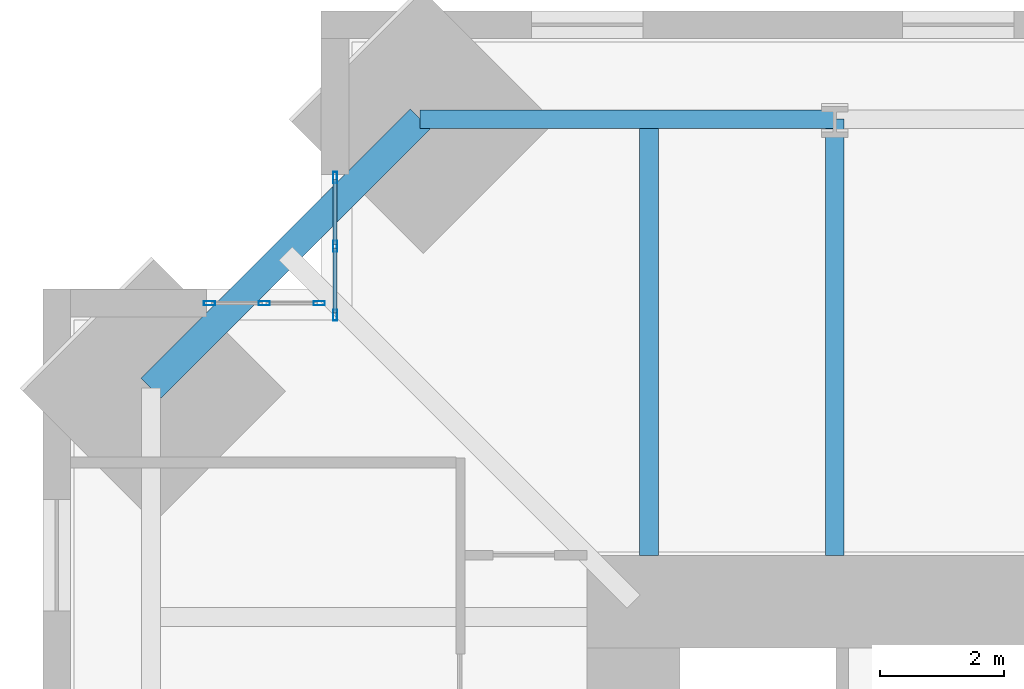
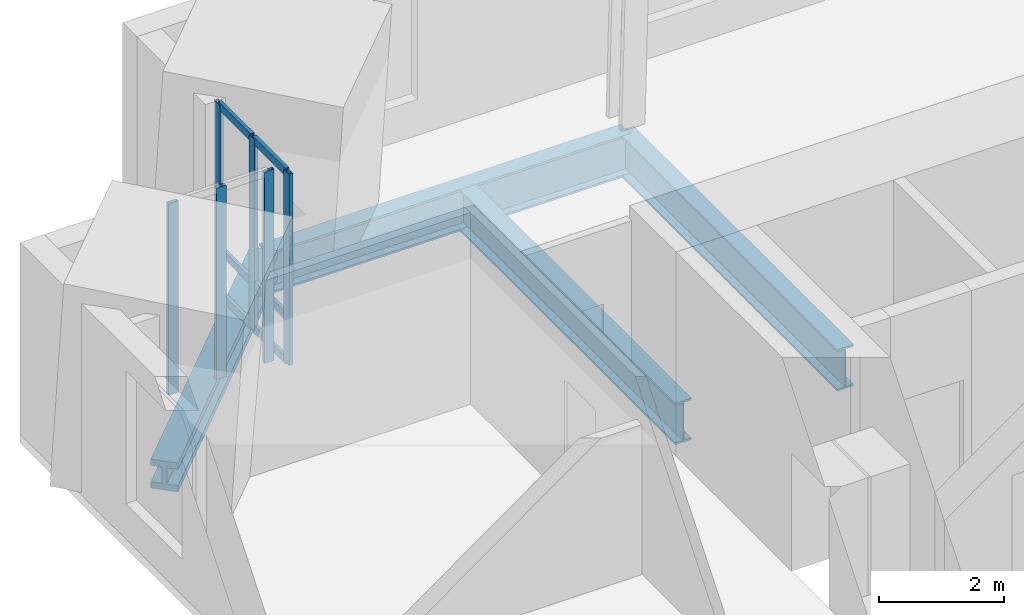
# One storey, part 6 of 15: 12 members, 4 beams, 2 elements without a shape of their own.
"""IFC4 building model written with IfcOpenShell, lengths in metres."""

from ifc_helpers import new_model, si_unit, direction, frame, origin, origin_2d, place, context, subcontext, project, spatial, hollow_rectangle, i_section, extrude, material, material_profile, profile_set, type_object, element, aggregate, save


model = new_model("IFC4")

# Units and contexts
model_context = context("Model", 3, precision=1e-05, world=origin(), true_north=direction((0.0, 1.0)))
body_context = subcontext(model_context, "Body", "Model", "MODEL_VIEW")
ifc_project = project(units=[si_unit("LENGTHUNIT", "METRE"), si_unit("AREAUNIT", "SQUARE_METRE"), si_unit("VOLUMEUNIT", "CUBIC_METRE"), si_unit("PLANEANGLEUNIT", "RADIAN"), si_unit("MASSUNIT", "GRAM", prefix="KILO")], contexts=[model_context])

# Site, building, storey
site_placement = place(None, origin())
site = spatial("IfcSite", under=ifc_project, at=site_placement, CompositionType="ELEMENT")
building_placement = place(site_placement, origin())
building = spatial("IfcBuilding", under=site, at=building_placement, Name="Peilmerk Tower", CompositionType="ELEMENT")
storey_placement = place(building_placement, frame((0.0, 0.0, 293.800048828125)))
storey = spatial("IfcBuildingStorey", under=building, at=storey_placement, Name="L66", CompositionType="ELEMENT", Elevation=293.800048828125)

# Beams
ifc_material_1 = material(Name="Steel S460", Category="steel")
ifc_material_profile_1 = material_profile(ifc_material_1, i_section(OverallWidth=0.4541015625, OverallDepth=0.569091796875, WebThickness=0.077880859375, FlangeThickness=0.125, at=origin_2d()), Name="HD 400x1086")
ifc_profile_set_1 = profile_set([ifc_material_profile_1], Name="Steel S460")
beam_type_1 = type_object("IfcBeamType", Name="B17 HD 400x1086 edge beam", PredefinedType="SPANDREL", material=ifc_profile_set_1)
beam_1_placement = place(storey_placement, frame((-19.050048828125, 14.699951171875, -0.45458984375), z_axis=(0.707106781187, 0.707106781187, 0.0), x_axis=(-0.707106781187, 0.707106781187, 0.0)))
element("IfcBeam", 1, at=beam_1_placement, inside=storey, type_object=beam_type_1, Name="Notch beam L66", PredefinedType="SPANDREL", context=body_context, shape_type="SweptSolid", body=[
    extrude(i_section(OverallWidth=0.4541015625, OverallDepth=0.569091796875, WebThickness=0.077880859375, FlangeThickness=0.125, at=origin_2d()), origin(), (0.0, 0.0, 1.0), 6.15185546875),
])
ifc_material_profile_2 = material_profile(ifc_material_1, i_section(OverallWidth=0.302978515625, OverallDepth=0.81396484375, WebThickness=0.02099609375, FlangeThickness=0.0400390625, at=origin_2d()), Name="HEM 800")
ifc_profile_set_2 = profile_set([ifc_material_profile_2], Name="Steel S460")
beam_type_2 = type_object("IfcBeamType", Name="B26 HEM 800 floor beam", PredefinedType="BEAM", material=ifc_profile_set_2)
for number, where, z_axis, x_axis, name in (
    (2, (-8.0, 12.0, -0.5771484375), (0.0, 1.0, 0.0), (-1.0, 0.0, 0.0), "Floor beam L66"),
    (3, (-11.0, 12.0, -0.5771484375), (0.0, 1.0, 0.0), (-1.0, 0.0, 0.0), "Floor beam L66"),
):
    element("IfcBeam", number, at=place(storey_placement, frame(where, z_axis=z_axis, x_axis=x_axis)), inside=storey, type_object=beam_type_2, Name=name, PredefinedType="BEAM", context=body_context, shape_type="SweptSolid", body=[
        extrude(i_section(OverallWidth=0.302978515625, OverallDepth=0.81396484375, WebThickness=0.02099609375, FlangeThickness=0.0400390625, at=origin_2d()), origin(), (0.0, 0.0, 1.0), 7.050048828125),
    ])
ifc_material_profile_3 = material_profile(ifc_material_1, i_section(OverallWidth=0.302978515625, OverallDepth=0.81396484375, WebThickness=0.02099609375, FlangeThickness=0.0400390625, at=origin_2d()), Name="HEM 800")
ifc_profile_set_3 = profile_set([ifc_material_profile_3], Name="Steel S460")
beam_type_3 = type_object("IfcBeamType", Name="B35 HEM 800 edge beam", PredefinedType="SPANDREL", material=ifc_profile_set_3)
beam_2_placement = place(storey_placement, frame((-8.0, 19.050048828125, -0.5771484375), z_axis=(-1.0, 0.0, 0.0), x_axis=(0.0, -1.0, 0.0)))
element("IfcBeam", 4, at=beam_2_placement, inside=storey, type_object=beam_type_3, Name="Edge beam L66", PredefinedType="SPANDREL", context=body_context, shape_type="SweptSolid", body=[
    extrude(i_section(OverallWidth=0.302978515625, OverallDepth=0.81396484375, WebThickness=0.02099609375, FlangeThickness=0.0400390625, at=origin_2d()), origin(), (0.0, 0.0, 1.0), 6.699951171875),
])

# Curtain wall, members
ifc_material_2 = material(Name="Aluminium stick curtain wall", Category="aluminium")
curtain_wall_type = type_object("IfcCurtainWallType", Name="CW4 stick curtain wall, 2250 module", PredefinedType="NOTDEFINED", material=ifc_material_2)
curtain_wall_1_placement = place(storey_placement, origin())
curtain_wall_1 = element("IfcCurtainWall", 5, at=curtain_wall_1_placement, inside=storey, type_object=curtain_wall_type, Name="Curtain wall CW4 NWA L66", PredefinedType="NOTDEFINED")
ifc_material_3 = material(Name="Aluminium EN AW-6063 T6", Category="aluminium")
ifc_material_profile_4 = material_profile(ifc_material_3, hollow_rectangle(XDim=0.06494140625, YDim=0.179931640625, WallThickness=0.0029296875, at=origin_2d()), Name="AL 180x65x3")
ifc_profile_set_4 = profile_set([ifc_material_profile_4], Name="Aluminium EN AW-6063 T6")
member_type_1 = type_object("IfcMemberType", Name="CW4-M AL 180x65x3 mullion", PredefinedType="MULLION", material=ifc_profile_set_4)
member_1_placement = place(storey_placement, frame((-16.074951171875, 15.882568359375, 0.0), z_axis=(0.0, 0.0, 1.0), x_axis=(-1.0, 0.0, 0.0)))
member_1 = element("IfcMember", 6, at=member_1_placement, type_object=member_type_1, Name="CW4 mullion 1", PredefinedType="MULLION", context=body_context, shape_type="SweptSolid", body=[
    extrude(hollow_rectangle(XDim=0.06494140625, YDim=0.179931640625, WallThickness=0.0029296875, at=origin_2d()), origin(), (0.0, 0.0, 1.0), 3.75),
])
member_2_placement = place(storey_placement, frame((-16.074951171875, 16.994384765625, 0.0), z_axis=(0.0, 0.0, 1.0), x_axis=(-1.0, 0.0, 0.0)))
member_2 = element("IfcMember", 7, at=member_2_placement, type_object=member_type_1, Name="CW4 mullion 2", PredefinedType="MULLION", context=body_context, shape_type="SweptSolid", body=[
    extrude(hollow_rectangle(XDim=0.06494140625, YDim=0.179931640625, WallThickness=0.0029296875, at=origin_2d()), origin(), (0.0, 0.0, 1.0), 3.75),
])
member_3_placement = place(storey_placement, frame((-16.074951171875, 18.106201171875, 0.0), z_axis=(0.0, 0.0, 1.0), x_axis=(-1.0, 0.0, 0.0)))
member_3 = element("IfcMember", 8, at=member_3_placement, type_object=member_type_1, Name="CW4 mullion 3", PredefinedType="MULLION", context=body_context, shape_type="SweptSolid", body=[
    extrude(hollow_rectangle(XDim=0.06494140625, YDim=0.179931640625, WallThickness=0.0029296875, at=origin_2d()), origin(), (0.0, 0.0, 1.0), 3.75),
])

curtain_wall_2_placement = place(storey_placement, origin())
curtain_wall_2 = element("IfcCurtainWall", 9, at=curtain_wall_2_placement, inside=storey, type_object=curtain_wall_type, Name="Curtain wall CW4 NWB L66", PredefinedType="NOTDEFINED")
member_4_placement = place(storey_placement, frame((-16.33251953125, 16.074951171875, 0.0), z_axis=(0.0, 0.0, 1.0), x_axis=(0.0, -1.0, 0.0)))
member_4 = element("IfcMember", 10, at=member_4_placement, type_object=member_type_1, Name="CW4 mullion 1", PredefinedType="MULLION", context=body_context, shape_type="SweptSolid", body=[
    extrude(hollow_rectangle(XDim=0.06494140625, YDim=0.179931640625, WallThickness=0.0029296875, at=origin_2d()), origin(), (0.0, 0.0, 1.0), 3.75),
])
member_5_placement = place(storey_placement, frame((-17.21923828125, 16.074951171875, 0.0), z_axis=(0.0, 0.0, 1.0), x_axis=(0.0, -1.0, 0.0)))
member_5 = element("IfcMember", 11, at=member_5_placement, type_object=member_type_1, Name="CW4 mullion 2", PredefinedType="MULLION", context=body_context, shape_type="SweptSolid", body=[
    extrude(hollow_rectangle(XDim=0.06494140625, YDim=0.179931640625, WallThickness=0.0029296875, at=origin_2d()), origin(), (0.0, 0.0, 1.0), 3.75),
])
member_6_placement = place(storey_placement, frame((-18.106201171875, 16.074951171875, 0.0), z_axis=(0.0, 0.0, 1.0), x_axis=(0.0, -1.0, 0.0)))
member_6 = element("IfcMember", 12, at=member_6_placement, type_object=member_type_1, Name="CW4 mullion 3", PredefinedType="MULLION", context=body_context, shape_type="SweptSolid", body=[
    extrude(hollow_rectangle(XDim=0.06494140625, YDim=0.179931640625, WallThickness=0.0029296875, at=origin_2d()), origin(), (0.0, 0.0, 1.0), 3.75),
])
aggregate(curtain_wall_2, [member_4, member_5, member_6])

# Member
ifc_material_profile_5 = material_profile(ifc_material_3, hollow_rectangle(XDim=0.06494140625, YDim=0.14990234375, WallThickness=0.0029296875, at=origin_2d()), Name="AL 150x65x3")
ifc_profile_set_5 = profile_set([ifc_material_profile_5], Name="Aluminium EN AW-6063 T6")
member_type_2 = type_object("IfcMemberType", Name="CW4-T AL 150x65x3 transom", PredefinedType="USERDEFINED", material=ifc_profile_set_5)
member_7_placement = place(storey_placement, frame((-16.074951171875, 15.9150390625, 0.032470703125), z_axis=(0.0, 1.0, 0.0), x_axis=(-1.0, 0.0, 0.0)))
member_7 = element("IfcMember", 13, at=member_7_placement, type_object=member_type_2, Name="CW4 transom 1.1", ObjectType="TRANSOM", PredefinedType="USERDEFINED", context=body_context, shape_type="SweptSolid", body=[
    extrude(hollow_rectangle(XDim=0.06494140625, YDim=0.14990234375, WallThickness=0.0029296875, at=origin_2d()), origin(), (0.0, 0.0, 1.0), 1.046875),
])

member_8_placement = place(storey_placement, frame((-16.074951171875, 15.9150390625, 0.89990234375), z_axis=(0.0, 1.0, 0.0), x_axis=(-1.0, 0.0, 0.0)))
member_8 = element("IfcMember", 14, at=member_8_placement, type_object=member_type_2, Name="CW4 transom 1.2", ObjectType="TRANSOM", PredefinedType="USERDEFINED", context=body_context, shape_type="SweptSolid", body=[
    extrude(hollow_rectangle(XDim=0.06494140625, YDim=0.14990234375, WallThickness=0.0029296875, at=origin_2d()), origin(), (0.0, 0.0, 1.0), 1.046875),
])

member_9_placement = place(storey_placement, frame((-16.074951171875, 15.9150390625, 3.717529296875), z_axis=(0.0, 1.0, 0.0), x_axis=(-1.0, 0.0, 0.0)))
member_9 = element("IfcMember", 15, at=member_9_placement, type_object=member_type_2, Name="CW4 transom 1.3", ObjectType="TRANSOM", PredefinedType="USERDEFINED", context=body_context, shape_type="SweptSolid", body=[
    extrude(hollow_rectangle(XDim=0.06494140625, YDim=0.14990234375, WallThickness=0.0029296875, at=origin_2d()), origin(), (0.0, 0.0, 1.0), 1.046875),
])

member_10_placement = place(storey_placement, frame((-16.074951171875, 17.02685546875, 0.032470703125), z_axis=(0.0, 1.0, 0.0), x_axis=(-1.0, 0.0, 0.0)))
member_10 = element("IfcMember", 16, at=member_10_placement, type_object=member_type_2, Name="CW4 transom 2.1", ObjectType="TRANSOM", PredefinedType="USERDEFINED", context=body_context, shape_type="SweptSolid", body=[
    extrude(hollow_rectangle(XDim=0.06494140625, YDim=0.14990234375, WallThickness=0.0029296875, at=origin_2d()), origin(), (0.0, 0.0, 1.0), 1.046875),
])

member_11_placement = place(storey_placement, frame((-16.074951171875, 17.02685546875, 0.89990234375), z_axis=(0.0, 1.0, 0.0), x_axis=(-1.0, 0.0, 0.0)))
member_11 = element("IfcMember", 17, at=member_11_placement, type_object=member_type_2, Name="CW4 transom 2.2", ObjectType="TRANSOM", PredefinedType="USERDEFINED", context=body_context, shape_type="SweptSolid", body=[
    extrude(hollow_rectangle(XDim=0.06494140625, YDim=0.14990234375, WallThickness=0.0029296875, at=origin_2d()), origin(), (0.0, 0.0, 1.0), 1.046875),
])

member_12_placement = place(storey_placement, frame((-16.074951171875, 17.02685546875, 3.717529296875), z_axis=(0.0, 1.0, 0.0), x_axis=(-1.0, 0.0, 0.0)))
member_12 = element("IfcMember", 18, at=member_12_placement, type_object=member_type_2, Name="CW4 transom 2.3", ObjectType="TRANSOM", PredefinedType="USERDEFINED", context=body_context, shape_type="SweptSolid", body=[
    extrude(hollow_rectangle(XDim=0.06494140625, YDim=0.14990234375, WallThickness=0.0029296875, at=origin_2d()), origin(), (0.0, 0.0, 1.0), 1.046875),
])

aggregate(curtain_wall_1, [member_1, member_2, member_3, member_7, member_8, member_9, member_10, member_11, member_12])

save(model, "model.ifc")
